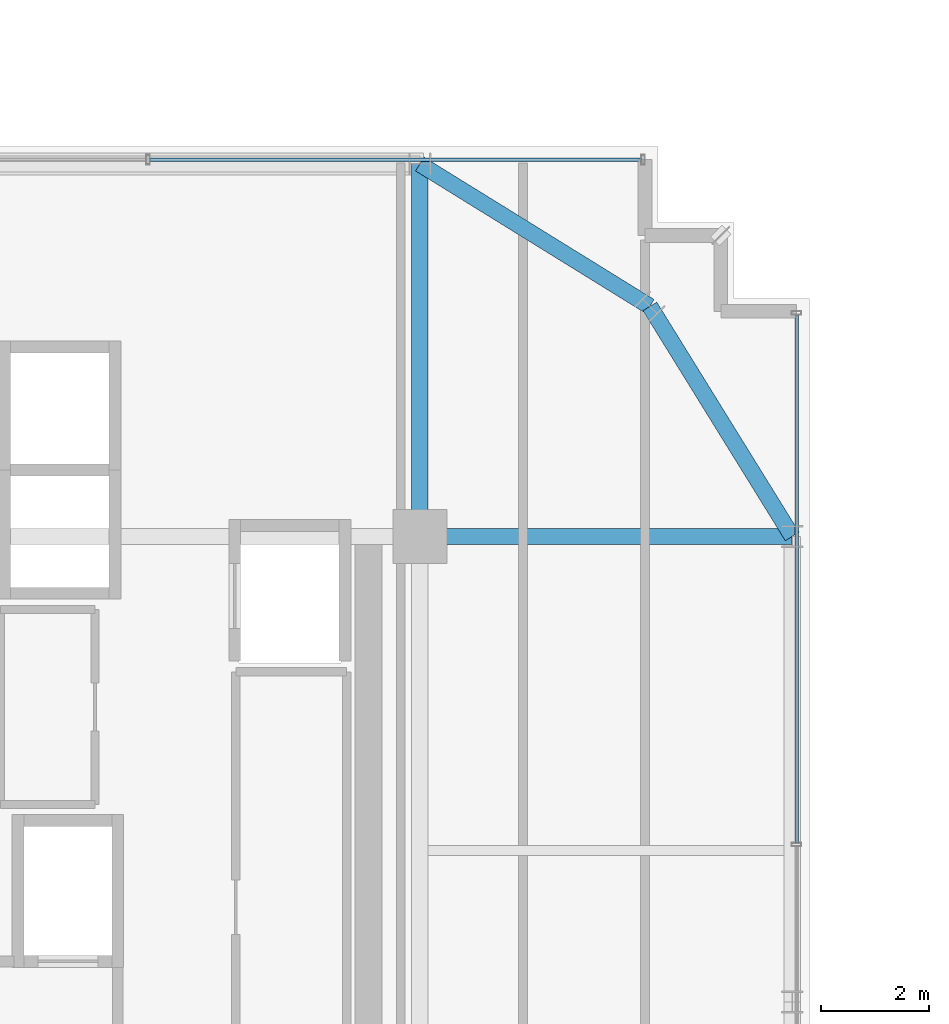
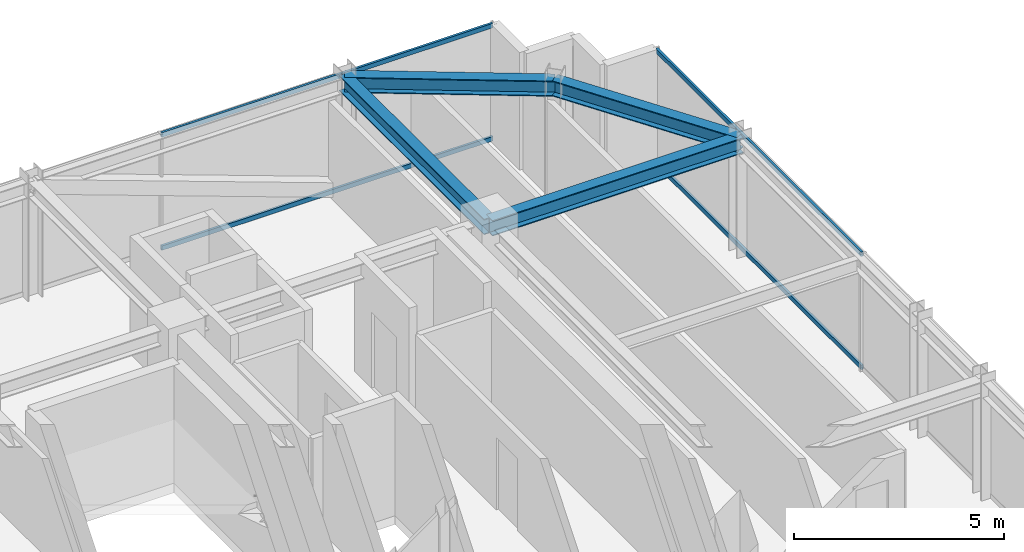
# One storey, part 27 of 43: 4 beams, 4 members, 2 elements without a shape of their own.
"""IFC4 building model written with IfcOpenShell, lengths in metres."""

from ifc_helpers import new_model, si_unit, direction, frame, origin, origin_2d, place, context, subcontext, project, spatial, hollow_rectangle, i_section, extrude, source, transform, mapped, material, material_profile, profile_set, type_object, element, aggregate, save


model = new_model("IFC4")

# Units and contexts
model_context = context("Model", 3, precision=1e-05, world=origin(), true_north=direction((0.0, 1.0)))
body_context = subcontext(model_context, "Body", "Model", "MODEL_VIEW")
ifc_project = project(units=[si_unit("LENGTHUNIT", "METRE"), si_unit("AREAUNIT", "SQUARE_METRE"), si_unit("VOLUMEUNIT", "CUBIC_METRE"), si_unit("PLANEANGLEUNIT", "RADIAN"), si_unit("MASSUNIT", "GRAM", prefix="KILO")], contexts=[model_context])

# Site, building, storey
site_placement = place(None, origin())
site = spatial("IfcSite", under=ifc_project, at=site_placement, CompositionType="ELEMENT")
building_placement = place(site_placement, origin())
building = spatial("IfcBuilding", under=site, at=building_placement, Name="Nahalor Promenade Grand Hotel", CompositionType="ELEMENT")
storey_placement = place(building_placement, frame((0.0, 0.0, 204.89990234375)))
storey = spatial("IfcBuildingStorey", under=building, at=storey_placement, Name="L52", CompositionType="ELEMENT", Elevation=204.89990234375)

# Beams
ifc_material_1 = material(Name="Steel S355JR", Category="steel")
ifc_material_profile_1 = material_profile(ifc_material_1, i_section(OverallWidth=0.3, OverallDepth=0.45, WebThickness=0.014, FlangeThickness=0.026, at=origin_2d()), Name="HEB 450")
ifc_profile_set_1 = profile_set([ifc_material_profile_1], Name="Steel S355JR")
beam_type_1 = type_object("IfcBeamType", Name="Beam-Spandrel-HEB450", PredefinedType="SPANDREL", material=ifc_profile_set_1)
shared_shape_1 = source(origin(), body_context, "Body", "SweptSolid", [
    extrude(i_section(OverallWidth=0.3, OverallDepth=0.45, WebThickness=0.014, FlangeThickness=0.026, at=origin_2d()), origin(), (0.0, 0.0, 1.0), 4.997802734375),
])
for number, where, z_axis, x_axis, name in (
    (1, (17.0, 23.8798828125, 3.18505859375), (0.850360908404, -0.526199891161, 0.0), (0.526199891161, 0.850360908404, 0.0), "BM-L52-SPC-NE-1"),
    (2, (21.25, 21.25, 3.18505859375), (0.526199891161, -0.850360908404, 0.0), (0.850360908404, 0.526199891161, 0.0), "BM-L52-SPC-NE-2"),
):
    element("IfcBeam", number, at=place(storey_placement, frame(where, z_axis=z_axis, x_axis=x_axis)), inside=storey, type_object=beam_type_1, Name=name, PredefinedType="SPANDREL", context=body_context, shape_type="MappedRepresentation", body=[
        mapped(shared_shape_1, transform((0.0, 0.0, 0.0), scale=1.0)),
    ])
ifc_material_profile_2 = material_profile(ifc_material_1, i_section(OverallWidth=0.3, OverallDepth=0.45, WebThickness=0.014, FlangeThickness=0.026, at=origin_2d()), Name="HEB 450")
ifc_profile_set_2 = profile_set([ifc_material_profile_2], Name="Steel S355JR")
beam_type_2 = type_object("IfcBeamType", Name="Beam-Girder-HEB450", PredefinedType="BEAM", material=ifc_profile_set_2)
shared_shape_2 = source(origin(), body_context, "Body", "SweptSolid", [
    extrude(i_section(OverallWidth=0.3, OverallDepth=0.45, WebThickness=0.014, FlangeThickness=0.026, at=origin_2d()), origin(), (0.0, 0.0, 1.0), 6.8798828125),
])
for number, where, z_axis, x_axis, name in (
    (3, (17.0, 17.0, 3.18505859375), (1.0, 0.0, 0.0), (0.0, 1.0, 0.0), "BM-L52-GX-3-6"),
    (4, (17.0, 17.0, 3.18505859375), (0.0, 1.0, 0.0), (-1.0, 0.0, 0.0), "BM-L52-GY-5-4"),
):
    element("IfcBeam", number, at=place(storey_placement, frame(where, z_axis=z_axis, x_axis=x_axis)), inside=storey, type_object=beam_type_2, Name=name, PredefinedType="BEAM", context=body_context, shape_type="MappedRepresentation", body=[
        mapped(shared_shape_2, transform((0.0, 0.0, 0.0), scale=1.0)),
    ])

# Curtain wall, members
ifc_material_2 = material(Name="Anodised Bronze Aluminium EN AW-6063 T6", Category="aluminium")
curtain_wall_type = type_object("IfcCurtainWallType", Name="CW2 Typical Hotel Flush Bronze Unitised Curtain Wall", PredefinedType="USERDEFINED", material=ifc_material_2)
curtain_wall_1_placement = place(storey_placement, origin())
curtain_wall_1 = element("IfcCurtainWall", 5, at=curtain_wall_1_placement, inside=storey, type_object=curtain_wall_type, Name="L52 Curtain Wall CW-L52-N-3", ObjectType="UNITISED_CURTAIN_WALL", PredefinedType="USERDEFINED")
ifc_material_profile_3 = material_profile(ifc_material_2, hollow_rectangle(XDim=0.065, YDim=0.13, WallThickness=0.004, at=origin_2d()), Name="CWT 65x130x4")
ifc_profile_set_3 = profile_set([ifc_material_profile_3], Name="Anodised Bronze Aluminium EN AW-6063 T6")
member_type = type_object("IfcMemberType", Name="CWT2 Typical Bronze Transom 65x130", PredefinedType="USERDEFINED", material=ifc_profile_set_3)
shared_shape_3 = source(origin(), body_context, "Body", "SweptSolid", [
    extrude(hollow_rectangle(XDim=0.065, YDim=0.13, WallThickness=0.004, at=origin_2d()), origin(), (0.0, 0.0, 1.0), 9.08251953125),
])
member_1_placement = place(storey_placement, frame((12.012451171875, 23.9599609375, 0.065185546875), z_axis=(1.0, 0.0, 0.0), x_axis=(0.0, 1.0, 0.0)))
member_1 = element("IfcMember", 6, at=member_1_placement, type_object=member_type, Name="CW-L52-N-3 Transom 1-0", ObjectType="TRANSOM", PredefinedType="USERDEFINED", context=body_context, shape_type="MappedRepresentation", body=[
    mapped(shared_shape_3, transform((0.0, 0.0, 0.0), scale=1.0)),
])
member_2_placement = place(storey_placement, frame((12.012451171875, 23.9599609375, 3.34521484375), z_axis=(1.0, 0.0, 0.0), x_axis=(0.0, 1.0, 0.0)))
member_2 = element("IfcMember", 7, at=member_2_placement, type_object=member_type, Name="CW-L52-N-3 Transom 1-1", ObjectType="TRANSOM", PredefinedType="USERDEFINED", context=body_context, shape_type="MappedRepresentation", body=[
    mapped(shared_shape_3, transform((0.0, 0.0, 0.0), scale=1.0)),
])
aggregate(curtain_wall_1, [member_1, member_2])

curtain_wall_2_placement = place(storey_placement, origin())
curtain_wall_2 = element("IfcCurtainWall", 8, at=curtain_wall_2_placement, inside=storey, type_object=curtain_wall_type, Name="L52 Curtain Wall CW-L52-E-3", ObjectType="UNITISED_CURTAIN_WALL", PredefinedType="USERDEFINED")
shared_shape_4 = source(origin(), body_context, "Body", "SweptSolid", [
    extrude(hollow_rectangle(XDim=0.065, YDim=0.13, WallThickness=0.004, at=origin_2d()), origin(), (0.0, 0.0, 1.0), 9.755859375),
])
member_3_placement = place(storey_placement, frame((23.9599609375, 11.339111328125, 0.065185546875), z_axis=(0.0, 1.0, 0.0), x_axis=(-1.0, 0.0, 0.0)))
member_3 = element("IfcMember", 9, at=member_3_placement, type_object=member_type, Name="CW-L52-E-3 Transom 2-0", ObjectType="TRANSOM", PredefinedType="USERDEFINED", context=body_context, shape_type="MappedRepresentation", body=[
    mapped(shared_shape_4, transform((0.0, 0.0, 0.0), scale=1.0)),
])
member_4_placement = place(storey_placement, frame((23.9599609375, 11.339111328125, 3.34521484375), z_axis=(0.0, 1.0, 0.0), x_axis=(-1.0, 0.0, 0.0)))
member_4 = element("IfcMember", 10, at=member_4_placement, type_object=member_type, Name="CW-L52-E-3 Transom 2-1", ObjectType="TRANSOM", PredefinedType="USERDEFINED", context=body_context, shape_type="MappedRepresentation", body=[
    mapped(shared_shape_4, transform((0.0, 0.0, 0.0), scale=1.0)),
])
aggregate(curtain_wall_2, [member_3, member_4])

save(model, "model.ifc")
